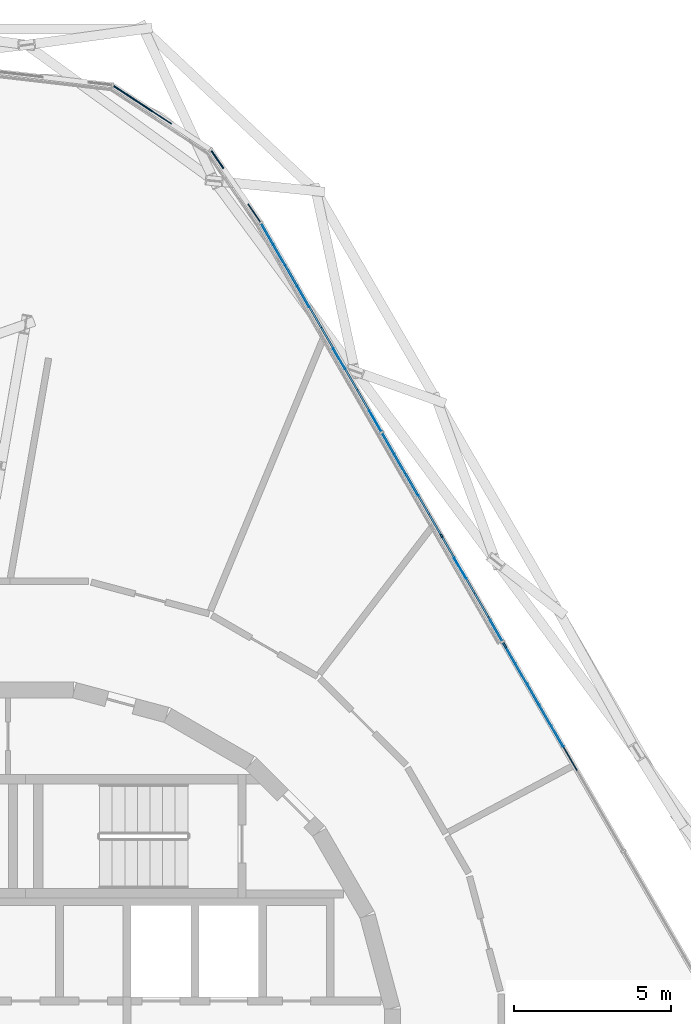
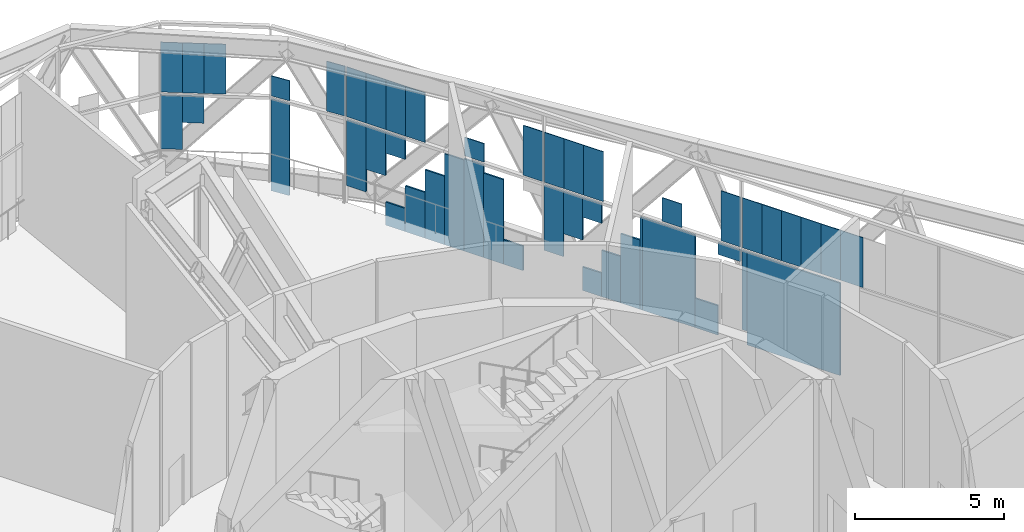
# One storey, part 19 of 29: 47 plates, 2 elements without a shape of their own.
"""IFC4 building model written with IfcOpenShell, lengths in metres."""

from ifc_helpers import new_model, si_unit, direction, frame, origin, origin_2d, place, context, subcontext, project, spatial, rectangle, extrude, material, layer, layer_set, type_object, element, aggregate, save


model = new_model("IFC4")

# Units and contexts
model_context = context("Model", 3, precision=1e-05, world=origin(), true_north=direction((0.0, 1.0)))
body_context = subcontext(model_context, "Body", "Model", "MODEL_VIEW")
ifc_project = project(units=[si_unit("LENGTHUNIT", "METRE"), si_unit("AREAUNIT", "SQUARE_METRE"), si_unit("VOLUMEUNIT", "CUBIC_METRE"), si_unit("PLANEANGLEUNIT", "RADIAN"), si_unit("MASSUNIT", "GRAM", prefix="KILO")], contexts=[model_context])

# Site, building, storey
site_placement = place(None, origin())
site = spatial("IfcSite", under=ifc_project, at=site_placement, CompositionType="ELEMENT")
building_placement = place(site_placement, origin())
building = spatial("IfcBuilding", under=site, at=building_placement, Name="Spindle Arch Residences", CompositionType="ELEMENT")
storey_placement = place(building_placement, frame((0.0, 0.0, 69.89990234375)))
storey = spatial("IfcBuildingStorey", under=building, at=storey_placement, Name="L16", CompositionType="ELEMENT", Elevation=69.89990234375)

# Curtain wall, plates
ifc_material_1 = material(Name="Aluminium bronze unitised frame with tinted glass", Category="aluminium")
ifc_layer_1 = layer(ifc_material_1, 0.159912109375)
ifc_layer_set_1 = layer_set([ifc_layer_1], Name="CW-E double-height winter garden wall")
curtain_wall_type = type_object("IfcCurtainWallType", Name="CW-E double-height winter garden wall", PredefinedType="NOTDEFINED", material=ifc_layer_set_1)
curtain_wall_1_placement = place(storey_placement, origin())
curtain_wall_1 = element("IfcCurtainWall", 1, at=curtain_wall_1_placement, inside=storey, type_object=curtain_wall_type, Name="CW-E L16 run 2", PredefinedType="NOTDEFINED")
ifc_material_2 = material(Name="Tinted laminated glass 28 mm", Category="glass")
ifc_layer_2 = layer(ifc_material_2, 0.028076171875)
ifc_layer_set_2 = layer_set([ifc_layer_2], Name="Tinted glass panel 28 mm")
plate_type_1 = type_object("IfcPlateType", Name="Tinted glass panel 28 mm", PredefinedType="CURTAIN_PANEL", material=ifc_layer_set_2)
plate_1_placement = place(storey_placement, frame((17.28857421875, 9.47509765625, 3.460205078125), z_axis=(0.0, 0.0, 1.0), x_axis=(-0.5, 0.866025403784, 0.0)))
plate_1 = element("IfcPlate", 2, at=plate_1_placement, type_object=plate_type_1, Name="CW-E panel 07Ab.3", PredefinedType="CURTAIN_PANEL", context=body_context, shape_type="SweptSolid", body=[
    extrude(rectangle(XDim=0.877197265625, YDim=0.028076171875, at=origin_2d()), origin(), (0.0, 0.0, 1.0), 2.0458984375),
])
plate_2_placement = place(storey_placement, frame((16.878662109375, 10.184814453125, 3.460205078125), z_axis=(0.0, 0.0, 1.0), x_axis=(-0.5, 0.866025403784, 0.0)))
plate_2 = element("IfcPlate", 3, at=plate_2_placement, type_object=plate_type_1, Name="CW-E panel 07Bb.1", PredefinedType="CURTAIN_PANEL", context=body_context, shape_type="SweptSolid", body=[
    extrude(rectangle(XDim=0.761962890625, YDim=0.028076171875, at=origin_2d()), origin(), (0.0, 0.0, 1.0), 2.0458984375),
])
plate_3_placement = place(storey_placement, frame((16.497802734375, 10.8447265625, 3.460205078125), z_axis=(0.0, 0.0, 1.0), x_axis=(-0.5, 0.866025403784, 0.0)))
plate_3 = element("IfcPlate", 4, at=plate_3_placement, type_object=plate_type_1, Name="CW-E panel 07Bb.2", PredefinedType="CURTAIN_PANEL", context=body_context, shape_type="SweptSolid", body=[
    extrude(rectangle(XDim=0.761962890625, YDim=0.028076171875, at=origin_2d()), origin(), (0.0, 0.0, 1.0), 2.0458984375),
])
plate_4_placement = place(storey_placement, frame((16.11669921875, 11.504638671875, 3.460205078125), z_axis=(0.0, 0.0, 1.0), x_axis=(-0.5, 0.866025403784, 0.0)))
plate_4 = element("IfcPlate", 5, at=plate_4_placement, type_object=plate_type_1, Name="CW-E panel 07Bb.3", PredefinedType="CURTAIN_PANEL", context=body_context, shape_type="SweptSolid", body=[
    extrude(rectangle(XDim=0.761962890625, YDim=0.028076171875, at=origin_2d()), origin(), (0.0, 0.0, 1.0), 2.0458984375),
])
plate_5_placement = place(storey_placement, frame((15.73583984375, 12.16455078125, 3.460205078125), z_axis=(0.0, 0.0, 1.0), x_axis=(-0.5, 0.866025403784, 0.0)))
plate_5 = element("IfcPlate", 6, at=plate_5_placement, type_object=plate_type_1, Name="CW-E panel 07Bb.4", PredefinedType="CURTAIN_PANEL", context=body_context, shape_type="SweptSolid", body=[
    extrude(rectangle(XDim=0.761962890625, YDim=0.028076171875, at=origin_2d()), origin(), (0.0, 0.0, 1.0), 2.0458984375),
])
plate_6_placement = place(storey_placement, frame((15.354736328125, 12.824462890625, 3.460205078125), z_axis=(0.0, 0.0, 1.0), x_axis=(-0.5, 0.866025403784, 0.0)))
plate_6 = element("IfcPlate", 7, at=plate_6_placement, type_object=plate_type_1, Name="CW-E panel 07Bb.5", PredefinedType="CURTAIN_PANEL", context=body_context, shape_type="SweptSolid", body=[
    extrude(rectangle(XDim=0.761962890625, YDim=0.028076171875, at=origin_2d()), origin(), (0.0, 0.0, 1.0), 2.0458984375),
])
plate_7_placement = place(storey_placement, frame((14.94384765625, 13.536376953125, 3.460205078125), z_axis=(0.0, 0.0, 1.0), x_axis=(-0.5, 0.866025403784, 0.0)))
plate_7 = element("IfcPlate", 8, at=plate_7_placement, type_object=plate_type_1, Name="CW-E panel 08Ab.1", PredefinedType="CURTAIN_PANEL", context=body_context, shape_type="SweptSolid", body=[
    extrude(rectangle(XDim=0.761962890625, YDim=0.028076171875, at=origin_2d()), origin(), (0.0, 0.0, 1.0), 2.0458984375),
])
plate_8_placement = place(storey_placement, frame((13.80078125, 15.51611328125, 3.460205078125), z_axis=(0.0, 0.0, 1.0), x_axis=(-0.5, 0.866025403784, 0.0)))
plate_8 = element("IfcPlate", 9, at=plate_8_placement, type_object=plate_type_1, Name="CW-E panel 08Ab.2", PredefinedType="CURTAIN_PANEL", context=body_context, shape_type="SweptSolid", body=[
    extrude(rectangle(XDim=0.761962890625, YDim=0.028076171875, at=origin_2d()), origin(), (0.0, 0.0, 1.0), 0.96484375),
])
plate_9_placement = place(storey_placement, frame((12.27685546875, 18.156005859375, 3.460205078125), z_axis=(0.0, 0.0, 1.0), x_axis=(-0.5, 0.866025403784, 0.0)))
plate_9 = element("IfcPlate", 10, at=plate_9_placement, type_object=plate_type_1, Name="CW-E panel 08Bb.1", PredefinedType="CURTAIN_PANEL", context=body_context, shape_type="SweptSolid", body=[
    extrude(rectangle(XDim=0.761962890625, YDim=0.028076171875, at=origin_2d()), origin(), (0.0, 0.0, 1.0), 2.0458984375),
])
plate_10_placement = place(storey_placement, frame((11.895751953125, 18.81591796875, 3.460205078125), z_axis=(0.0, 0.0, 1.0), x_axis=(-0.5, 0.866025403784, 0.0)))
plate_10 = element("IfcPlate", 11, at=plate_10_placement, type_object=plate_type_1, Name="CW-E panel 08Bb.2", PredefinedType="CURTAIN_PANEL", context=body_context, shape_type="SweptSolid", body=[
    extrude(rectangle(XDim=0.761962890625, YDim=0.028076171875, at=origin_2d()), origin(), (0.0, 0.0, 1.0), 2.0458984375),
])
plate_11_placement = place(storey_placement, frame((11.5146484375, 19.475830078125, 3.460205078125), z_axis=(0.0, 0.0, 1.0), x_axis=(-0.5, 0.866025403784, 0.0)))
plate_11 = element("IfcPlate", 12, at=plate_11_placement, type_object=plate_type_1, Name="CW-E panel 08Bb.3", PredefinedType="CURTAIN_PANEL", context=body_context, shape_type="SweptSolid", body=[
    extrude(rectangle(XDim=0.761962890625, YDim=0.028076171875, at=origin_2d()), origin(), (0.0, 0.0, 1.0), 2.0458984375),
])
plate_12_placement = place(storey_placement, frame((11.103759765625, 20.1875, 3.460205078125), z_axis=(0.0, 0.0, 1.0), x_axis=(-0.5, 0.866025403784, 0.0)))
plate_12 = element("IfcPlate", 13, at=plate_12_placement, type_object=plate_type_1, Name="CW-E panel 09Ab.1", PredefinedType="CURTAIN_PANEL", context=body_context, shape_type="SweptSolid", body=[
    extrude(rectangle(XDim=0.761962890625, YDim=0.028076171875, at=origin_2d()), origin(), (0.0, 0.0, 1.0), 2.0458984375),
])
plate_13_placement = place(storey_placement, frame((9.960693359375, 22.167236328125, 3.460205078125), z_axis=(0.0, 0.0, 1.0), x_axis=(-0.5, 0.866025403784, 0.0)))
plate_13 = element("IfcPlate", 14, at=plate_13_placement, type_object=plate_type_1, Name="CW-E panel 09Ab.2", PredefinedType="CURTAIN_PANEL", context=body_context, shape_type="SweptSolid", body=[
    extrude(rectangle(XDim=0.761962890625, YDim=0.028076171875, at=origin_2d()), origin(), (0.0, 0.0, 1.0), 0.75830078125),
])
plate_14_placement = place(storey_placement, frame((8.817626953125, 24.147216796875, 3.460205078125), z_axis=(0.0, 0.0, 1.0), x_axis=(-0.5, 0.866025403784, 0.0)))
plate_14 = element("IfcPlate", 15, at=plate_14_placement, type_object=plate_type_1, Name="CW-E panel 09Bb.1", PredefinedType="CURTAIN_PANEL", context=body_context, shape_type="SweptSolid", body=[
    extrude(rectangle(XDim=0.761962890625, YDim=0.028076171875, at=origin_2d()), origin(), (0.0, 0.0, 1.0), 2.0458984375),
])
plate_15_placement = place(storey_placement, frame((8.436767578125, 24.80712890625, 3.460205078125), z_axis=(0.0, 0.0, 1.0), x_axis=(-0.5, 0.866025403784, 0.0)))
plate_15 = element("IfcPlate", 16, at=plate_15_placement, type_object=plate_type_1, Name="CW-E panel 09Bb.2", PredefinedType="CURTAIN_PANEL", context=body_context, shape_type="SweptSolid", body=[
    extrude(rectangle(XDim=0.761962890625, YDim=0.028076171875, at=origin_2d()), origin(), (0.0, 0.0, 1.0), 2.0458984375),
])
plate_16_placement = place(storey_placement, frame((8.0556640625, 25.467041015625, 3.460205078125), z_axis=(0.0, 0.0, 1.0), x_axis=(-0.5, 0.866025403784, 0.0)))
plate_16 = element("IfcPlate", 17, at=plate_16_placement, type_object=plate_type_1, Name="CW-E panel 09Bb.3", PredefinedType="CURTAIN_PANEL", context=body_context, shape_type="SweptSolid", body=[
    extrude(rectangle(XDim=0.761962890625, YDim=0.028076171875, at=origin_2d()), origin(), (0.0, 0.0, 1.0), 2.0458984375),
])
plate_17_placement = place(storey_placement, frame((7.6748046875, 26.126953125, 3.460205078125), z_axis=(0.0, 0.0, 1.0), x_axis=(-0.5, 0.866025403784, 0.0)))
plate_17 = element("IfcPlate", 18, at=plate_17_placement, type_object=plate_type_1, Name="CW-E panel 09Bb.4", PredefinedType="CURTAIN_PANEL", context=body_context, shape_type="SweptSolid", body=[
    extrude(rectangle(XDim=0.761962890625, YDim=0.028076171875, at=origin_2d()), origin(), (0.0, 0.0, 1.0), 2.0458984375),
])

curtain_wall_2_placement = place(storey_placement, origin())
curtain_wall_2 = element("IfcCurtainWall", 19, at=curtain_wall_2_placement, inside=storey, type_object=curtain_wall_type, Name="CW-E L16 run 3", PredefinedType="NOTDEFINED")
plate_18_placement = place(storey_placement, frame((7.257568359375, 26.79150390625, 3.460205078125), z_axis=(0.0, 0.0, 1.0), x_axis=(-0.565500718711, 0.824747802142, 0.0)))
plate_18 = element("IfcPlate", 20, at=plate_18_placement, type_object=plate_type_1, Name="CW-E panel 00b.1", PredefinedType="CURTAIN_PANEL", context=body_context, shape_type="SweptSolid", body=[
    extrude(rectangle(XDim=0.688720703125, YDim=0.028076171875, at=origin_2d()), origin(), (0.0, 0.0, 1.0), 2.0458984375),
])
plate_19_placement = place(storey_placement, frame((6.0888671875, 28.495849609375, 3.460205078125), z_axis=(0.0, 0.0, 1.0), x_axis=(-0.565500718711, 0.824747802142, 0.0)))
plate_19 = element("IfcPlate", 21, at=plate_19_placement, type_object=plate_type_1, Name="CW-E panel 00b.2", PredefinedType="CURTAIN_PANEL", context=body_context, shape_type="SweptSolid", body=[
    extrude(rectangle(XDim=0.688720703125, YDim=0.028076171875, at=origin_2d()), origin(), (0.0, 0.0, 1.0), 0.8251953125),
])
plate_20_placement = place(storey_placement, frame((4.3203125, 29.82861328125, 3.460205078125), z_axis=(0.0, 0.0, 1.0), x_axis=(-0.835487811704, 0.549508977628, 0.0)))
plate_20 = element("IfcPlate", 22, at=plate_20_placement, type_object=plate_type_1, Name="CW-E panel 01b.1", PredefinedType="CURTAIN_PANEL", context=body_context, shape_type="SweptSolid", body=[
    extrude(rectangle(XDim=0.7333984375, YDim=0.028076171875, at=origin_2d()), origin(), (0.0, 0.0, 1.0), 2.0458984375),
])
plate_21_placement = place(storey_placement, frame((3.707763671875, 30.231689453125, 3.460205078125), z_axis=(0.0, 0.0, 1.0), x_axis=(-0.835487811704, 0.549508977628, 0.0)))
plate_21 = element("IfcPlate", 23, at=plate_21_placement, type_object=plate_type_1, Name="CW-E panel 01b.2", PredefinedType="CURTAIN_PANEL", context=body_context, shape_type="SweptSolid", body=[
    extrude(rectangle(XDim=0.7333984375, YDim=0.028076171875, at=origin_2d()), origin(), (0.0, 0.0, 1.0), 2.0458984375),
])
plate_22_placement = place(storey_placement, frame((3.094970703125, 30.634521484375, 3.460205078125), z_axis=(0.0, 0.0, 1.0), x_axis=(-0.835487811704, 0.549508977628, 0.0)))
plate_22 = element("IfcPlate", 24, at=plate_22_placement, type_object=plate_type_1, Name="CW-E panel 01b.3", PredefinedType="CURTAIN_PANEL", context=body_context, shape_type="SweptSolid", body=[
    extrude(rectangle(XDim=0.7333984375, YDim=0.028076171875, at=origin_2d()), origin(), (0.0, 0.0, 1.0), 2.0458984375),
])

# Plate
ifc_material_3 = material(Name="Tinted double glazing over aluminium faced non-combustible spandrel zone (K0)", Category="aluminium")
ifc_layer_3 = layer(ifc_material_3, 0.06005859375)
ifc_layer_set_3 = layer_set([ifc_layer_3], Name="Unitised glass panel with E 60 spandrel zone")
plate_type_2 = type_object("IfcPlateType", Name="Unitised glass panel with E 60 spandrel zone", PredefinedType="CURTAIN_PANEL", material=ifc_layer_set_3)
plate_23_placement = place(storey_placement, frame((16.16455078125, 11.422119140625, -0.449951171875), z_axis=(0.0, 0.0, 1.0), x_axis=(-0.5, 0.866025403784, 0.0)))
plate_23 = element("IfcPlate", 25, at=plate_23_placement, type_object=plate_type_2, Name="CW-E panel 07Ba.1", PredefinedType="CURTAIN_PANEL", context=body_context, shape_type="SweptSolid", body=[
    extrude(rectangle(XDim=3.619384765625, YDim=0.06005859375, at=origin_2d()), origin(), (0.0, 0.0, 1.0), 3.7900390625),
])

plate_24_placement = place(storey_placement, frame((15.2119140625, 13.072021484375, 0.110595703125), z_axis=(0.0, 0.0, 1.0), x_axis=(-0.5, 0.866025403784, 0.0)))
plate_24 = element("IfcPlate", 26, at=plate_24_placement, type_object=plate_type_2, Name="CW-E panel 07Ba.2", PredefinedType="CURTAIN_PANEL", context=body_context, shape_type="SweptSolid", body=[
    extrude(rectangle(XDim=0.190673828125, YDim=0.06005859375, at=origin_2d()), origin(), (0.0, 0.0, 1.0), 3.2294921875),
])

plate_25_placement = place(storey_placement, frame((14.914794921875, 13.5869140625, 2.869384765625), z_axis=(0.0, 0.0, 1.0), x_axis=(-0.5, 0.866025403784, 0.0)))
plate_25 = element("IfcPlate", 27, at=plate_25_placement, type_object=plate_type_2, Name="CW-E panel 08Aa.1", PredefinedType="CURTAIN_PANEL", context=body_context, shape_type="SweptSolid", body=[
    extrude(rectangle(XDim=0.87841796875, YDim=0.06005859375, at=origin_2d()), origin(), (0.0, 0.0, 1.0), 0.470703125),
])

plate_26_placement = place(storey_placement, frame((14.4755859375, 14.347412109375, -0.44970703125), z_axis=(0.0, 0.0, 1.0), x_axis=(-0.5, 0.866025403784, 0.0)))
plate_26 = element("IfcPlate", 28, at=plate_26_placement, type_object=plate_type_2, Name="CW-E panel 08Aa.2", PredefinedType="CURTAIN_PANEL", context=body_context, shape_type="SweptSolid", body=[
    extrude(rectangle(XDim=0.87841796875, YDim=0.06005859375, at=origin_2d()), origin(), (0.0, 0.0, 1.0), 1.207763671875),
])

plate_27_placement = place(storey_placement, frame((13.74267578125, 15.616943359375, -0.449951171875), z_axis=(0.0, 0.0, 1.0), x_axis=(-0.5, 0.866025403784, 0.0)))
plate_27 = element("IfcPlate", 29, at=plate_27_placement, type_object=plate_type_2, Name="CW-E panel 08Aa.3", PredefinedType="CURTAIN_PANEL", context=body_context, shape_type="SweptSolid", body=[
    extrude(rectangle(XDim=2.05322265625, YDim=0.06005859375, at=origin_2d()), origin(), (0.0, 0.0, 1.0), 3.7900390625),
])

plate_28_placement = place(storey_placement, frame((13.20556640625, 16.546875, -0.449951171875), z_axis=(0.0, 0.0, 1.0), x_axis=(-0.5, 0.866025403784, 0.0)))
plate_28 = element("IfcPlate", 30, at=plate_28_placement, type_object=plate_type_2, Name="CW-E panel 08Ba.1", PredefinedType="CURTAIN_PANEL", context=body_context, shape_type="SweptSolid", body=[
    extrude(rectangle(XDim=0.09423828125, YDim=0.06005859375, at=origin_2d()), origin(), (0.0, 0.0, 1.0), 3.7900390625),
])

plate_29_placement = place(storey_placement, frame((12.996337890625, 16.90966796875, -0.44970703125), z_axis=(0.0, 0.0, 1.0), x_axis=(-0.5, 0.866025403784, 0.0)))
plate_29 = element("IfcPlate", 31, at=plate_29_placement, type_object=plate_type_2, Name="CW-E panel 08Ba.2", PredefinedType="CURTAIN_PANEL", context=body_context, shape_type="SweptSolid", body=[
    extrude(rectangle(XDim=0.7431640625, YDim=0.06005859375, at=origin_2d()), origin(), (0.0, 0.0, 1.0), 2.848388671875),
])

plate_30_placement = place(storey_placement, frame((12.624755859375, 17.55322265625, -0.44970703125), z_axis=(0.0, 0.0, 1.0), x_axis=(-0.5, 0.866025403784, 0.0)))
plate_30 = element("IfcPlate", 32, at=plate_30_placement, type_object=plate_type_2, Name="CW-E panel 08Ba.3", PredefinedType="CURTAIN_PANEL", context=body_context, shape_type="SweptSolid", body=[
    extrude(rectangle(XDim=0.7431640625, YDim=0.06005859375, at=origin_2d()), origin(), (0.0, 0.0, 1.0), 1.906982421875),
])

plate_31_placement = place(storey_placement, frame((12.253173828125, 18.19677734375, -0.449951171875), z_axis=(0.0, 0.0, 1.0), x_axis=(-0.5, 0.866025403784, 0.0)))
plate_31 = element("IfcPlate", 33, at=plate_31_placement, type_object=plate_type_2, Name="CW-E panel 08Ba.4", PredefinedType="CURTAIN_PANEL", context=body_context, shape_type="SweptSolid", body=[
    extrude(rectangle(XDim=0.7431640625, YDim=0.06005859375, at=origin_2d()), origin(), (0.0, 0.0, 1.0), 0.96533203125),
])

plate_32_placement = place(storey_placement, frame((12.253173828125, 18.19677734375, 2.554443359375), z_axis=(0.0, 0.0, 1.0), x_axis=(-0.5, 0.866025403784, 0.0)))
plate_32 = element("IfcPlate", 34, at=plate_32_placement, type_object=plate_type_2, Name="CW-E panel 08Ba.5", PredefinedType="CURTAIN_PANEL", context=body_context, shape_type="SweptSolid", body=[
    extrude(rectangle(XDim=0.7431640625, YDim=0.06005859375, at=origin_2d()), origin(), (0.0, 0.0, 1.0), 0.78564453125),
])

plate_33_placement = place(storey_placement, frame((11.881591796875, 18.84033203125, 1.613037109375), z_axis=(0.0, 0.0, 1.0), x_axis=(-0.5, 0.866025403784, 0.0)))
plate_33 = element("IfcPlate", 35, at=plate_33_placement, type_object=plate_type_2, Name="CW-E panel 08Ba.6", PredefinedType="CURTAIN_PANEL", context=body_context, shape_type="SweptSolid", body=[
    extrude(rectangle(XDim=0.7431640625, YDim=0.06005859375, at=origin_2d()), origin(), (0.0, 0.0, 1.0), 1.72705078125),
])

plate_34_placement = place(storey_placement, frame((11.510009765625, 19.48388671875, 0.67138671875), z_axis=(0.0, 0.0, 1.0), x_axis=(-0.5, 0.866025403784, 0.0)))
plate_34 = element("IfcPlate", 36, at=plate_34_placement, type_object=plate_type_2, Name="CW-E panel 08Ba.7", PredefinedType="CURTAIN_PANEL", context=body_context, shape_type="SweptSolid", body=[
    extrude(rectangle(XDim=0.7431640625, YDim=0.06005859375, at=origin_2d()), origin(), (0.0, 0.0, 1.0), 2.668701171875),
])

plate_35_placement = place(storey_placement, frame((10.72265625, 20.847412109375, -0.449951171875), z_axis=(0.0, 0.0, 1.0), x_axis=(-0.5, 0.866025403784, 0.0)))
plate_35 = element("IfcPlate", 37, at=plate_35_placement, type_object=plate_type_2, Name="CW-E panel 09Aa.2", PredefinedType="CURTAIN_PANEL", context=body_context, shape_type="SweptSolid", body=[
    extrude(rectangle(XDim=0.761962890625, YDim=0.06005859375, at=origin_2d()), origin(), (0.0, 0.0, 1.0), 1.0029296875),
])

plate_36_placement = place(storey_placement, frame((10.341796875, 21.50732421875, -0.449951171875), z_axis=(0.0, 0.0, 1.0), x_axis=(-0.5, 0.866025403784, 0.0)))
plate_36 = element("IfcPlate", 38, at=plate_36_placement, type_object=plate_type_2, Name="CW-E panel 09Aa.3", PredefinedType="CURTAIN_PANEL", context=body_context, shape_type="SweptSolid", body=[
    extrude(rectangle(XDim=0.761962890625, YDim=0.06005859375, at=origin_2d()), origin(), (0.0, 0.0, 1.0), 3.46630859375),
])

plate_37_placement = place(storey_placement, frame((9.960693359375, 22.167236328125, -0.449951171875), z_axis=(0.0, 0.0, 1.0), x_axis=(-0.5, 0.866025403784, 0.0)))
plate_37 = element("IfcPlate", 39, at=plate_37_placement, type_object=plate_type_2, Name="CW-E panel 09Aa.4", PredefinedType="CURTAIN_PANEL", context=body_context, shape_type="SweptSolid", body=[
    extrude(rectangle(XDim=0.761962890625, YDim=0.06005859375, at=origin_2d()), origin(), (0.0, 0.0, 1.0), 3.7900390625),
])

plate_38_placement = place(storey_placement, frame((9.57958984375, 22.827392578125, -0.449951171875), z_axis=(0.0, 0.0, 1.0), x_axis=(-0.5, 0.866025403784, 0.0)))
plate_38 = element("IfcPlate", 40, at=plate_38_placement, type_object=plate_type_2, Name="CW-E panel 09Aa.5", PredefinedType="CURTAIN_PANEL", context=body_context, shape_type="SweptSolid", body=[
    extrude(rectangle(XDim=0.761962890625, YDim=0.06005859375, at=origin_2d()), origin(), (0.0, 0.0, 1.0), 3.7392578125),
])

plate_39_placement = place(storey_placement, frame((9.19873046875, 23.4873046875, -0.449951171875), z_axis=(0.0, 0.0, 1.0), x_axis=(-0.5, 0.866025403784, 0.0)))
plate_39 = element("IfcPlate", 41, at=plate_39_placement, type_object=plate_type_2, Name="CW-E panel 09Ba.1", PredefinedType="CURTAIN_PANEL", context=body_context, shape_type="SweptSolid", body=[
    extrude(rectangle(XDim=0.761962890625, YDim=0.06005859375, at=origin_2d()), origin(), (0.0, 0.0, 1.0), 2.81005859375),
])

plate_40_placement = place(storey_placement, frame((8.817626953125, 24.147216796875, -0.449951171875), z_axis=(0.0, 0.0, 1.0), x_axis=(-0.5, 0.866025403784, 0.0)))
plate_40 = element("IfcPlate", 42, at=plate_40_placement, type_object=plate_type_2, Name="CW-E panel 09Ba.2", PredefinedType="CURTAIN_PANEL", context=body_context, shape_type="SweptSolid", body=[
    extrude(rectangle(XDim=0.761962890625, YDim=0.06005859375, at=origin_2d()), origin(), (0.0, 0.0, 1.0), 1.880859375),
])

plate_41_placement = place(storey_placement, frame((8.436767578125, 24.80712890625, -0.449951171875), z_axis=(0.0, 0.0, 1.0), x_axis=(-0.5, 0.866025403784, 0.0)))
plate_41 = element("IfcPlate", 43, at=plate_41_placement, type_object=plate_type_2, Name="CW-E panel 09Ba.3", PredefinedType="CURTAIN_PANEL", context=body_context, shape_type="SweptSolid", body=[
    extrude(rectangle(XDim=0.761962890625, YDim=0.06005859375, at=origin_2d()), origin(), (0.0, 0.0, 1.0), 0.95166015625),
])

plate_42_placement = place(storey_placement, frame((8.436767578125, 24.80712890625, 2.50341796875), z_axis=(0.0, 0.0, 1.0), x_axis=(-0.5, 0.866025403784, 0.0)))
plate_42 = element("IfcPlate", 44, at=plate_42_placement, type_object=plate_type_2, Name="CW-E panel 09Ba.4", PredefinedType="CURTAIN_PANEL", context=body_context, shape_type="SweptSolid", body=[
    extrude(rectangle(XDim=0.761962890625, YDim=0.06005859375, at=origin_2d()), origin(), (0.0, 0.0, 1.0), 0.836669921875),
])

plate_43_placement = place(storey_placement, frame((8.0556640625, 25.467041015625, 1.57421875), z_axis=(0.0, 0.0, 1.0), x_axis=(-0.5, 0.866025403784, 0.0)))
plate_43 = element("IfcPlate", 45, at=plate_43_placement, type_object=plate_type_2, Name="CW-E panel 09Ba.5", PredefinedType="CURTAIN_PANEL", context=body_context, shape_type="SweptSolid", body=[
    extrude(rectangle(XDim=0.761962890625, YDim=0.06005859375, at=origin_2d()), origin(), (0.0, 0.0, 1.0), 1.765869140625),
])

plate_44_placement = place(storey_placement, frame((7.6748046875, 26.126953125, 0.64501953125), z_axis=(0.0, 0.0, 1.0), x_axis=(-0.5, 0.866025403784, 0.0)))
plate_44 = element("IfcPlate", 46, at=plate_44_placement, type_object=plate_type_2, Name="CW-E panel 09Ba.6", PredefinedType="CURTAIN_PANEL", context=body_context, shape_type="SweptSolid", body=[
    extrude(rectangle(XDim=0.761962890625, YDim=0.06005859375, at=origin_2d()), origin(), (0.0, 0.0, 1.0), 2.695068359375),
])

aggregate(curtain_wall_1, [plate_1, plate_23, plate_24, plate_2, plate_3, plate_4, plate_5, plate_6, plate_25, plate_26, plate_27, plate_7, plate_8, plate_28, plate_29, plate_30, plate_31, plate_32, plate_33, plate_34, plate_9, plate_10, plate_11, plate_35, plate_36, plate_37, plate_38, plate_12, plate_13, plate_39, plate_40, plate_41, plate_42, plate_43, plate_44, plate_14, plate_15, plate_16, plate_17])

plate_45_placement = place(storey_placement, frame((6.0888671875, 28.495849609375, -0.419921875), z_axis=(0.0, 0.0, 1.0), x_axis=(-0.565500718711, 0.824747802142, 0.0)))
plate_45 = element("IfcPlate", 47, at=plate_45_placement, type_object=plate_type_2, Name="CW-E panel 00a.2", PredefinedType="CURTAIN_PANEL", context=body_context, shape_type="SweptSolid", body=[
    extrude(rectangle(XDim=0.688720703125, YDim=0.06005859375, at=origin_2d()), origin(), (0.0, 0.0, 1.0), 3.760009765625),
])

plate_46_placement = place(storey_placement, frame((3.707763671875, 30.231689453125, 2.24658203125), z_axis=(0.0, 0.0, 1.0), x_axis=(-0.835487811704, 0.549508977628, 0.0)))
plate_46 = element("IfcPlate", 48, at=plate_46_placement, type_object=plate_type_2, Name="CW-E panel 01a.1", PredefinedType="CURTAIN_PANEL", context=body_context, shape_type="SweptSolid", body=[
    extrude(rectangle(XDim=0.7333984375, YDim=0.06005859375, at=origin_2d()), origin(), (0.0, 0.0, 1.0), 1.093505859375),
])

plate_47_placement = place(storey_placement, frame((3.094970703125, 30.634521484375, 1.143798828125), z_axis=(0.0, 0.0, 1.0), x_axis=(-0.835487811704, 0.549508977628, 0.0)))
plate_47 = element("IfcPlate", 49, at=plate_47_placement, type_object=plate_type_2, Name="CW-E panel 01a.2", PredefinedType="CURTAIN_PANEL", context=body_context, shape_type="SweptSolid", body=[
    extrude(rectangle(XDim=0.7333984375, YDim=0.06005859375, at=origin_2d()), origin(), (0.0, 0.0, 1.0), 2.1962890625),
])

aggregate(curtain_wall_2, [plate_45, plate_18, plate_19, plate_46, plate_47, plate_20, plate_21, plate_22])

save(model, "model.ifc")
